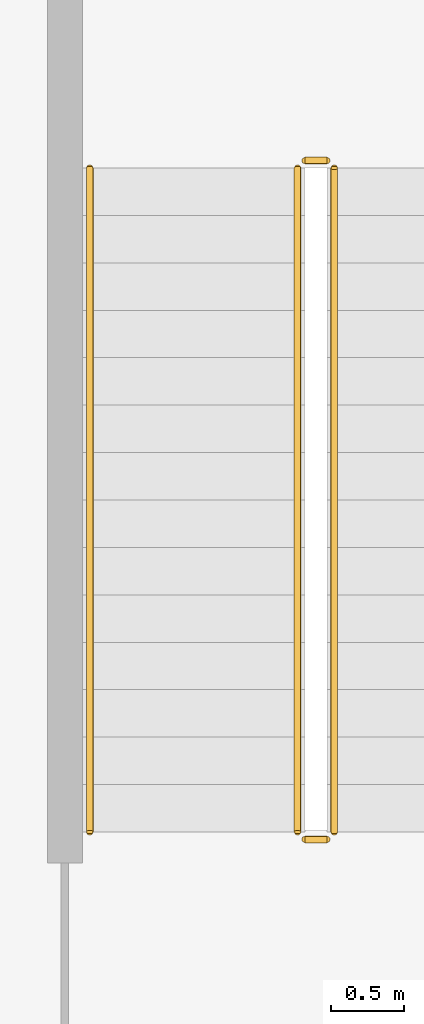
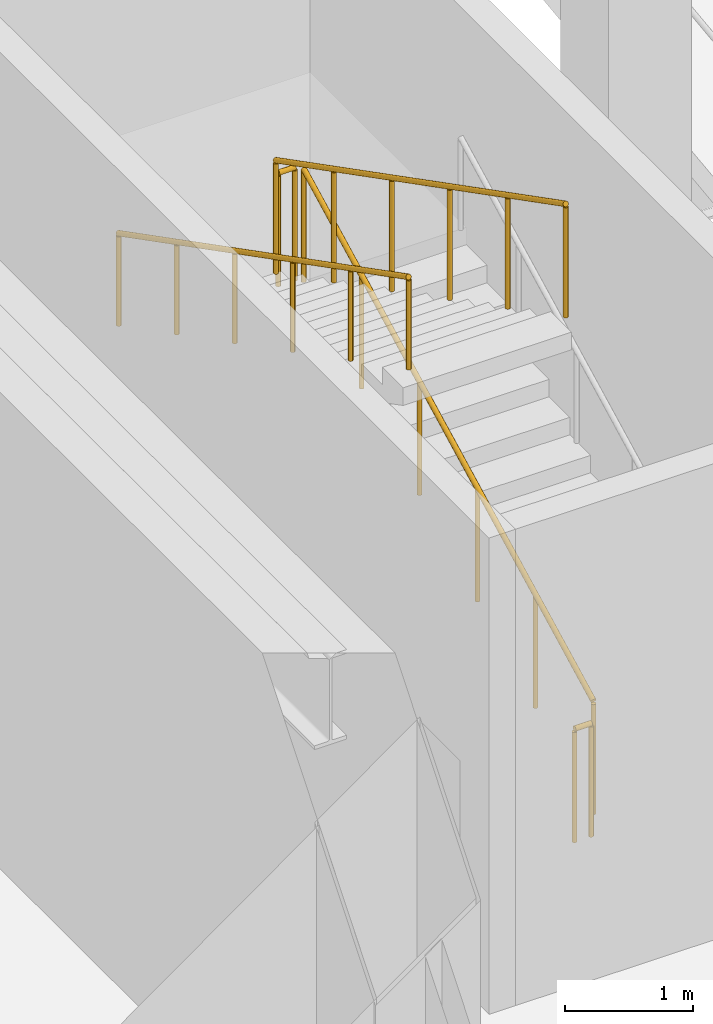
# One storey, part 9 of 12: 5 railings.
"""IFC4 building model written with IfcOpenShell, lengths in metres."""

from ifc_helpers import new_model, si_unit, direction, frame, origin, origin_2d, place, context, subcontext, project, spatial, circle, extrude, material, type_object, element, save


model = new_model("IFC4")

# Units and contexts
model_context = context("Model", 3, precision=1e-05, world=origin(), true_north=direction((0.0, 1.0)))
body_context = subcontext(model_context, "Body", "Model", "MODEL_VIEW")
ifc_project = project(units=[si_unit("LENGTHUNIT", "METRE"), si_unit("AREAUNIT", "SQUARE_METRE"), si_unit("VOLUMEUNIT", "CUBIC_METRE"), si_unit("PLANEANGLEUNIT", "RADIAN"), si_unit("MASSUNIT", "GRAM", prefix="KILO")], contexts=[model_context])

# Site, building, storey
site_placement = place(None, origin())
site = spatial("IfcSite", under=ifc_project, at=site_placement, CompositionType="ELEMENT")
building_placement = place(site_placement, origin())
building = spatial("IfcBuilding", under=site, at=building_placement, Name="Kolvaren Arena Tower", CompositionType="ELEMENT")
storey_placement = place(building_placement, frame((0.0, 0.0, -5.0)))
storey = spatial("IfcBuildingStorey", under=building, at=storey_placement, Name="B01", CompositionType="ELEMENT", Elevation=-5.0)

# Railings
ifc_material_1 = material(Name="Painted galvanized steel", Category="steel")
railing_type_1 = type_object("IfcRailingType", Name="GUARD-ST-110", PredefinedType="GUARDRAIL", material=ifc_material_1)
railing_1_placement = place(storey_placement, frame((64.179931640625, 23.02001953125, 0.166748046875)))
element("IfcRailing", 1, at=railing_1_placement, inside=storey, type_object=railing_type_1, Name="B01 ST-B2 stair guard 1", PredefinedType="GUARDRAIL", context=body_context, shape_type="SweptSolid", body=[
    extrude(circle(Radius=0.02392578125, at=origin_2d()), frame((0.0, 0.0, 1.076171875), z_axis=(0.0, 0.889247197123, 0.45742695855), x_axis=(-1.0, 0.0, 0.0)), (0.0, 0.0, 1.0), 5.100830078125),
    extrude(circle(Radius=0.02099609375, at=origin_2d()), origin(), (0.0, 0.0, 1.0), 1.052001953125),
    extrude(circle(Radius=0.02099609375, at=origin_2d()), frame((0.0, 0.9072265625, 0.466552734375)), (0.0, 0.0, 1.0), 1.052001953125),
    extrude(circle(Radius=0.02099609375, at=origin_2d()), frame((0.0, 1.814453125, 0.933349609375)), (0.0, 0.0, 1.0), 1.052001953125),
    extrude(circle(Radius=0.02099609375, at=origin_2d()), frame((0.0, 2.721435546875, 1.39990234375)), (0.0, 0.0, 1.0), 1.052001953125),
    extrude(circle(Radius=0.02099609375, at=origin_2d()), frame((0.0, 3.628662109375, 1.86669921875)), (0.0, 0.0, 1.0), 1.052001953125),
    extrude(circle(Radius=0.02099609375, at=origin_2d()), frame((0.0, 4.535888671875, 2.333251953125)), (0.0, 0.0, 1.0), 1.052001953125),
])
railing_2_placement = place(storey_placement, frame((64.1298828125, 27.60595703125, 2.5)))
element("IfcRailing", 2, at=railing_2_placement, inside=storey, type_object=railing_type_1, Name="B01 ST-B2 stair guard 2", PredefinedType="GUARDRAIL", context=body_context, shape_type="SweptSolid", body=[
    extrude(circle(Radius=0.02392578125, at=origin_2d()), frame((0.0, 0.0, 1.076171875), z_axis=(-1.0, 0.0, 0.0), x_axis=(0.0, -1.0, 0.0)), (0.0, 0.0, 1.0), 0.14990234375),
    extrude(circle(Radius=0.02099609375, at=origin_2d()), origin(), (0.0, 0.0, 1.0), 1.052001953125),
    extrude(circle(Radius=0.02099609375, at=origin_2d()), frame((-0.14990234375, 0.0, 0.0)), (0.0, 0.0, 1.0), 1.052001953125),
])
railing_3_placement = place(storey_placement, frame((63.929931640625, 27.555908203125, 2.666748046875)))
element("IfcRailing", 3, at=railing_3_placement, inside=storey, type_object=railing_type_1, Name="B01 ST-B2 stair guard 3", PredefinedType="GUARDRAIL", context=body_context, shape_type="SweptSolid", body=[
    extrude(circle(Radius=0.02392578125, at=origin_2d()), frame((0.0, 0.0, 1.076171875), z_axis=(0.0, -0.889247197123, 0.45742695855), x_axis=(1.0, 0.0, 0.0)), (0.0, 0.0, 1.0), 5.100830078125),
    extrude(circle(Radius=0.02099609375, at=origin_2d()), origin(), (0.0, 0.0, 1.0), 1.052001953125),
    extrude(circle(Radius=0.02099609375, at=origin_2d()), frame((0.0, -0.9072265625, 0.466552734375)), (0.0, 0.0, 1.0), 1.052001953125),
    extrude(circle(Radius=0.02099609375, at=origin_2d()), frame((0.0, -1.814453125, 0.933349609375)), (0.0, 0.0, 1.0), 1.052001953125),
    extrude(circle(Radius=0.02099609375, at=origin_2d()), frame((0.0, -2.721435546875, 1.39990234375)), (0.0, 0.0, 1.0), 1.052001953125),
    extrude(circle(Radius=0.02099609375, at=origin_2d()), frame((0.0, -3.628662109375, 1.86669921875)), (0.0, 0.0, 1.0), 1.052001953125),
    extrude(circle(Radius=0.02099609375, at=origin_2d()), frame((0.0, -4.535888671875, 2.333251953125)), (0.0, 0.0, 1.0), 1.052001953125),
])
railing_4_placement = place(storey_placement, frame((64.1298828125, 22.969970703125, 0.0)))
element("IfcRailing", 4, at=railing_4_placement, inside=storey, type_object=railing_type_1, Name="B01 ST-B2 stair guard 4", PredefinedType="GUARDRAIL", context=body_context, shape_type="SweptSolid", body=[
    extrude(circle(Radius=0.02392578125, at=origin_2d()), frame((0.0, 0.0, 1.076171875), z_axis=(-1.0, 0.0, 0.0), x_axis=(0.0, -1.0, 0.0)), (0.0, 0.0, 1.0), 0.14990234375),
    extrude(circle(Radius=0.02099609375, at=origin_2d()), origin(), (0.0, 0.0, 1.0), 1.052001953125),
    extrude(circle(Radius=0.02099609375, at=origin_2d()), frame((-0.14990234375, 0.0, 0.0)), (0.0, 0.0, 1.0), 1.052001953125),
])
ifc_material_2 = material(Name="Brushed stainless steel handrail", Category="steel")
railing_type_2 = type_object("IfcRailingType", Name="HRAIL-900", PredefinedType="HANDRAIL", material=ifc_material_2)
railing_5_placement = place(storey_placement, frame((62.510009765625, 27.555908203125, 2.666748046875)))
element("IfcRailing", 5, at=railing_5_placement, inside=storey, type_object=railing_type_2, Name="B01 ST-B2 stair handrail 2", PredefinedType="HANDRAIL", context=body_context, shape_type="SweptSolid", body=[
    extrude(circle(Radius=0.02392578125, at=origin_2d()), frame((0.0, 0.0, 0.8759765625), z_axis=(0.0, -0.889247197123, 0.45742695855), x_axis=(1.0, 0.0, 0.0)), (0.0, 0.0, 1.0), 5.100830078125),
    extrude(circle(Radius=0.02099609375, at=origin_2d()), origin(), (0.0, 0.0, 1.0), 0.851806640625),
    extrude(circle(Radius=0.02099609375, at=origin_2d()), frame((0.0, -0.9072265625, 0.466552734375)), (0.0, 0.0, 1.0), 0.851806640625),
    extrude(circle(Radius=0.02099609375, at=origin_2d()), frame((0.0, -1.814453125, 0.933349609375)), (0.0, 0.0, 1.0), 0.851806640625),
    extrude(circle(Radius=0.02099609375, at=origin_2d()), frame((0.0, -2.721435546875, 1.39990234375)), (0.0, 0.0, 1.0), 0.851806640625),
    extrude(circle(Radius=0.02099609375, at=origin_2d()), frame((0.0, -3.628662109375, 1.86669921875)), (0.0, 0.0, 1.0), 0.851806640625),
    extrude(circle(Radius=0.02099609375, at=origin_2d()), frame((0.0, -4.535888671875, 2.333251953125)), (0.0, 0.0, 1.0), 0.851806640625),
])

save(model, "model.ifc")
